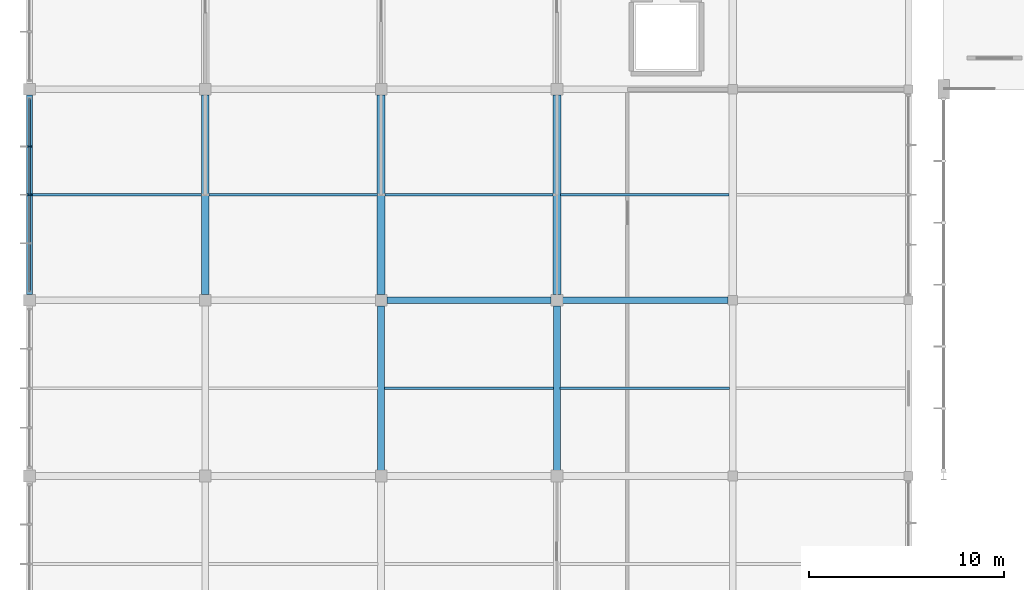
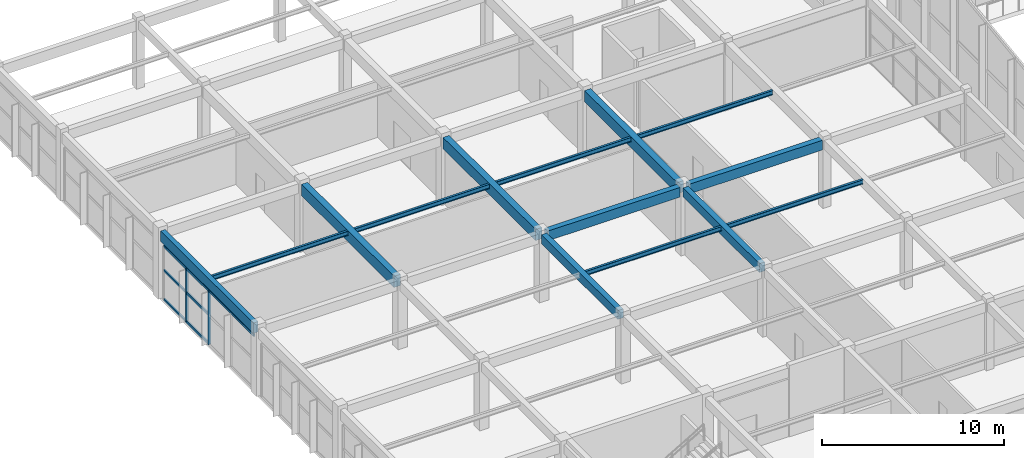
# One storey, part 21 of 74: 14 beams, 7 members, 1 element without a shape of its own.
"""IFC4 building model written with IfcOpenShell, lengths in metres."""

from ifc_helpers import new_model, si_unit, direction, frame, origin, origin_2d, place, context, subcontext, project, spatial, rectangle, i_section, extrude, material, material_profile, profile_set, type_object, element, aggregate, save


model = new_model("IFC4")

# Units and contexts
model_context = context("Model", 3, precision=1e-05, world=origin(), true_north=direction((0.0, 1.0)))
body_context = subcontext(model_context, "Body", "Model", "MODEL_VIEW")
ifc_project = project(units=[si_unit("LENGTHUNIT", "METRE"), si_unit("AREAUNIT", "SQUARE_METRE"), si_unit("VOLUMEUNIT", "CUBIC_METRE"), si_unit("PLANEANGLEUNIT", "RADIAN"), si_unit("MASSUNIT", "GRAM", prefix="KILO")], contexts=[model_context])

# Site, building, storey
site_placement = place(None, origin())
site = spatial("IfcSite", under=ifc_project, at=site_placement, CompositionType="ELEMENT")
building_placement = place(site_placement, origin())
building = spatial("IfcBuilding", under=site, at=building_placement, Name="Suirenkawa Promenade Aquatics Centre", CompositionType="ELEMENT")
storey_placement = place(building_placement, frame((0.0, 0.0, 4.800048828125)))
storey = spatial("IfcBuildingStorey", under=building, at=storey_placement, Name="L01", CompositionType="ELEMENT", Elevation=4.800048828125)

# Beams
ifc_material_1 = material(Name="Steel IS 2062 E350 (Grade 350)", Category="steel")
ifc_material_profile_1 = material_profile(ifc_material_1, i_section(OverallWidth=0.139892578125, OverallDepth=0.300048828125, WebThickness=0.008056640625, FlangeThickness=0.012939453125, at=origin_2d()), Name="ISMB 300", Category="steel")
ifc_profile_set_1 = profile_set([ifc_material_profile_1], Name="Steel IS 2062 E350 (Grade 350)")
beam_type_1 = type_object("IfcBeamType", Name="BT-JOIST-ISMB300", PredefinedType="JOIST", material=ifc_profile_set_1)
beam_1_placement = place(storey_placement, frame((0.14404296875, 91.800048828125, 4.387939453125), z_axis=(1.0, 0.0, 0.0), x_axis=(0.0, 1.0, 0.0)))
element("IfcBeam", 1, at=beam_1_placement, inside=storey, type_object=beam_type_1, Name="Secondary floor joist JS-02 BM-0529", PredefinedType="JOIST", context=body_context, shape_type="SweptSolid", body=[
    extrude(i_section(OverallWidth=0.139892578125, OverallDepth=0.300048828125, WebThickness=0.008056640625, FlangeThickness=0.012939453125, at=origin_2d()), origin(), (0.0, 0.0, 1.0), 8.661865234375),
])
beam_2_placement = place(storey_placement, frame((9.194091796875, 91.800048828125, 4.387939453125), z_axis=(1.0, 0.0, 0.0), x_axis=(0.0, 1.0, 0.0)))
element("IfcBeam", 2, at=beam_2_placement, inside=storey, type_object=beam_type_1, Name="Secondary floor joist JS-02 BM-0539", PredefinedType="JOIST", context=body_context, shape_type="SweptSolid", body=[
    extrude(i_section(OverallWidth=0.139892578125, OverallDepth=0.300048828125, WebThickness=0.008056640625, FlangeThickness=0.012939453125, at=origin_2d()), origin(), (0.0, 0.0, 1.0), 8.61181640625),
])
beam_3_placement = place(storey_placement, frame((18.1689453125, 81.89990234375, 4.387939453125), z_axis=(1.0, 0.0, 0.0), x_axis=(0.0, 1.0, 0.0)))
element("IfcBeam", 3, at=beam_3_placement, inside=storey, type_object=beam_type_1, Name="Secondary floor joist JS-02 BM-0550", PredefinedType="JOIST", context=body_context, shape_type="SweptSolid", body=[
    extrude(i_section(OverallWidth=0.139892578125, OverallDepth=0.300048828125, WebThickness=0.008056640625, FlangeThickness=0.012939453125, at=origin_2d()), origin(), (0.0, 0.0, 1.0), 8.662109375),
])
beam_4_placement = place(storey_placement, frame((18.194091796875, 91.800048828125, 4.387939453125), z_axis=(1.0, 0.0, 0.0), x_axis=(0.0, 1.0, 0.0)))
element("IfcBeam", 4, at=beam_4_placement, inside=storey, type_object=beam_type_1, Name="Secondary floor joist JS-02 BM-0551", PredefinedType="JOIST", context=body_context, shape_type="SweptSolid", body=[
    extrude(i_section(OverallWidth=0.139892578125, OverallDepth=0.300048828125, WebThickness=0.008056640625, FlangeThickness=0.012939453125, at=origin_2d()), origin(), (0.0, 0.0, 1.0), 8.61181640625),
])
beam_5_placement = place(storey_placement, frame((27.1689453125, 81.89990234375, 4.387939453125), z_axis=(1.0, 0.0, 0.0), x_axis=(0.0, 1.0, 0.0)))
element("IfcBeam", 5, at=beam_5_placement, inside=storey, type_object=beam_type_1, Name="Secondary floor joist JS-02 BM-0562", PredefinedType="JOIST", context=body_context, shape_type="SweptSolid", body=[
    extrude(i_section(OverallWidth=0.139892578125, OverallDepth=0.300048828125, WebThickness=0.008056640625, FlangeThickness=0.012939453125, at=origin_2d()), origin(), (0.0, 0.0, 1.0), 8.662109375),
])
beam_6_placement = place(storey_placement, frame((27.194091796875, 91.800048828125, 4.387939453125), z_axis=(1.0, 0.0, 0.0), x_axis=(0.0, 1.0, 0.0)))
element("IfcBeam", 6, at=beam_6_placement, inside=storey, type_object=beam_type_1, Name="Secondary floor joist JS-02 BM-0563", PredefinedType="JOIST", context=body_context, shape_type="SweptSolid", body=[
    extrude(i_section(OverallWidth=0.139892578125, OverallDepth=0.300048828125, WebThickness=0.008056640625, FlangeThickness=0.012939453125, at=origin_2d()), origin(), (0.0, 0.0, 1.0), 8.61181640625),
])
ifc_material_2 = material(Name="Concrete M35", Category="concrete")
ifc_material_profile_2 = material_profile(ifc_material_2, rectangle(XDim=0.35009765625, YDim=0.60009765625, at=origin_2d()), Name="RC BM 350x600", Category="concrete")
ifc_profile_set_2 = profile_set([ifc_material_profile_2], Name="Concrete M35")
beam_type_2 = type_object("IfcBeamType", Name="BT-RC-350x600", PredefinedType="BEAM", material=ifc_profile_set_2)
for number, where, z_axis, x_axis, name in (
    (7, (18.0, 77.694091796875, 4.239990234375), (0.0, 1.0, 0.0), (-1.0, 0.0, 0.0), "Floor beam BM-02 BM-0482"),
    (8, (27.0, 77.694091796875, 4.239990234375), (0.0, 1.0, 0.0), (-1.0, 0.0, 0.0), "Floor beam BM-02 BM-0494"),
):
    element("IfcBeam", number, at=place(storey_placement, frame(where, z_axis=z_axis, x_axis=x_axis)), inside=storey, type_object=beam_type_2, Name=name, PredefinedType="BEAM", context=body_context, shape_type="SweptSolid", body=[
        extrude(rectangle(XDim=0.35009765625, YDim=0.60009765625, at=origin_2d()), origin(), (0.0, 0.0, 1.0), 8.411865234375),
    ])
ifc_material_profile_3 = material_profile(ifc_material_2, rectangle(XDim=0.35009765625, YDim=0.64990234375, at=origin_2d()), Name="RC BM 350x650", Category="concrete")
ifc_profile_set_3 = profile_set([ifc_material_profile_3], Name="Concrete M35")
beam_type_3 = type_object("IfcBeamType", Name="BT-RC-350x650", PredefinedType="BEAM", material=ifc_profile_set_3)
beam_7_placement = place(storey_placement, frame((18.2939453125, 86.39990234375, 4.21484375), z_axis=(1.0, 0.0, 0.0), x_axis=(0.0, 1.0, 0.0)))
element("IfcBeam", 9, at=beam_7_placement, inside=storey, type_object=beam_type_3, Name="Floor beam BM-03 BM-0432", PredefinedType="BEAM", context=body_context, shape_type="SweptSolid", body=[
    extrude(rectangle(XDim=0.35009765625, YDim=0.64990234375, at=origin_2d()), origin(), (0.0, 0.0, 1.0), 8.412109375),
])
beam_8_placement = place(storey_placement, frame((27.2939453125, 86.39990234375, 4.21484375), z_axis=(1.0, 0.0, 0.0), x_axis=(0.0, 1.0, 0.0)))
element("IfcBeam", 10, at=beam_8_placement, inside=storey, type_object=beam_type_3, Name="Floor beam BM-03 BM-0433", PredefinedType="BEAM", context=body_context, shape_type="SweptSolid", body=[
    extrude(rectangle(XDim=0.35009765625, YDim=0.64990234375, at=origin_2d()), origin(), (0.0, 0.0, 1.0), 8.462158203125),
])
ifc_material_3 = material(Name="Concrete M40", Category="concrete")
ifc_material_profile_4 = material_profile(ifc_material_3, rectangle(XDim=0.39990234375, YDim=0.75, at=origin_2d()), Name="RC BM 400x750", Category="concrete")
ifc_profile_set_4 = profile_set([ifc_material_profile_4], Name="Concrete M40")
beam_type_4 = type_object("IfcBeamType", Name="BT-RC-400x750", PredefinedType="BEAM", material=ifc_profile_set_4)
for number, where, z_axis, x_axis, name in (
    (11, (9.0, 86.694091796875, 4.1650390625), (0.0, 1.0, 0.0), (-1.0, 0.0, 0.0), "Floor beam BM-05 BM-0471"),
    (12, (18.0, 86.694091796875, 4.1650390625), (0.0, 1.0, 0.0), (-1.0, 0.0, 0.0), "Floor beam BM-05 BM-0483"),
    (13, (27.0, 86.694091796875, 4.1650390625), (0.0, 1.0, 0.0), (-1.0, 0.0, 0.0), "Floor beam BM-05 BM-0495"),
):
    element("IfcBeam", number, at=place(storey_placement, frame(where, z_axis=z_axis, x_axis=x_axis)), inside=storey, type_object=beam_type_4, Name=name, PredefinedType="BEAM", context=body_context, shape_type="SweptSolid", body=[
        extrude(rectangle(XDim=0.39990234375, YDim=0.75, at=origin_2d()), origin(), (0.0, 0.0, 1.0), 10.2119140625),
    ])
ifc_material_profile_5 = material_profile(ifc_material_3, rectangle(XDim=0.300048828125, YDim=0.699951171875, at=origin_2d()), Name="RC SPANDREL 300x700", Category="concrete")
ifc_profile_set_5 = profile_set([ifc_material_profile_5], Name="Concrete M40")
beam_type_5 = type_object("IfcBeamType", Name="BT-SPANDREL-300x700", PredefinedType="SPANDREL", material=ifc_profile_set_5)
beam_9_placement = place(storey_placement, frame((0.0, 86.694091796875, 4.18994140625), z_axis=(0.0, 1.0, 0.0), x_axis=(-1.0, 0.0, 0.0)))
element("IfcBeam", 14, at=beam_9_placement, inside=storey, type_object=beam_type_5, Name="Floor beam SP-01 BM-0459", PredefinedType="SPANDREL", context=body_context, shape_type="SweptSolid", body=[
    extrude(rectangle(XDim=0.300048828125, YDim=0.699951171875, at=origin_2d()), origin(), (0.0, 0.0, 1.0), 10.2119140625),
])

# Curtain wall, members
ifc_material_4 = material(Name="Anodised aluminium 6063-T6", Category="aluminium")
curtain_wall_type = type_object("IfcCurtainWallType", Name="CWAT-V5WL01-52", PredefinedType="NOTDEFINED", material=ifc_material_4)
curtain_wall_placement = place(storey_placement, origin())
curtain_wall = element("IfcCurtainWall", 15, at=curtain_wall_placement, inside=storey, type_object=curtain_wall_type, Name="Curtain wall CWA-52 CW-108", PredefinedType="NOTDEFINED")
ifc_material_profile_6 = material_profile(ifc_material_4, rectangle(XDim=0.094970703125, YDim=0.18994140625, at=origin_2d()), Name="ALU MULL 95x190", Category="aluminium")
ifc_profile_set_6 = profile_set([ifc_material_profile_6], Name="Anodised aluminium 6063-T6")
member_type_1 = type_object("IfcMemberType", Name="CWM-190x95", PredefinedType="MULLION", material=ifc_profile_set_6)
member_1_placement = place(storey_placement, frame((0.0, 91.800048828125, 0.0), z_axis=(0.0, 0.0, 1.0), x_axis=(0.0, 1.0, 0.0)))
member_1 = element("IfcMember", 16, at=member_1_placement, type_object=member_type_1, Name="Mullion ML-02 CWM-02167", PredefinedType="MULLION", context=body_context, shape_type="SweptSolid", body=[
    extrude(rectangle(XDim=0.094970703125, YDim=0.18994140625, at=origin_2d()), origin(), (0.0, 0.0, 1.0), 3.570068359375),
])
member_2_placement = place(storey_placement, frame((0.0, 94.275390625, 0.0), z_axis=(0.0, 0.0, 1.0), x_axis=(0.0, 1.0, 0.0)))
member_2 = element("IfcMember", 17, at=member_2_placement, type_object=member_type_1, Name="Mullion ML-02 CWM-02168", PredefinedType="MULLION", context=body_context, shape_type="SweptSolid", body=[
    extrude(rectangle(XDim=0.094970703125, YDim=0.18994140625, at=origin_2d()), origin(), (0.0, 0.0, 1.0), 3.570068359375),
])
ifc_material_profile_7 = material_profile(ifc_material_4, rectangle(XDim=0.094970703125, YDim=0.14990234375, at=origin_2d()), Name="ALU TRAN 95x150", Category="aluminium")
ifc_profile_set_7 = profile_set([ifc_material_profile_7], Name="Anodised aluminium 6063-T6")
member_type_2 = type_object("IfcMemberType", Name="CWT-150x95", PredefinedType="USERDEFINED", material=ifc_profile_set_7)
member_3_placement = place(storey_placement, frame((0.0, 91.800048828125, 0.0), z_axis=(0.0, 1.0, 0.0), x_axis=(-1.0, 0.0, 0.0)))
member_3 = element("IfcMember", 18, at=member_3_placement, type_object=member_type_2, Name="Transom TR-02 CWT-02172", ObjectType="TRANSOM", PredefinedType="USERDEFINED", context=body_context, shape_type="SweptSolid", body=[
    extrude(rectangle(XDim=0.094970703125, YDim=0.14990234375, at=origin_2d()), origin(), (0.0, 0.0, 1.0), 2.475341796875),
])
member_4_placement = place(storey_placement, frame((0.0, 94.275390625, 0.0), z_axis=(0.0, 1.0, 0.0), x_axis=(-1.0, 0.0, 0.0)))
member_4 = element("IfcMember", 19, at=member_4_placement, type_object=member_type_2, Name="Transom TR-02 CWT-02173", ObjectType="TRANSOM", PredefinedType="USERDEFINED", context=body_context, shape_type="SweptSolid", body=[
    extrude(rectangle(XDim=0.094970703125, YDim=0.14990234375, at=origin_2d()), origin(), (0.0, 0.0, 1.0), 2.4755859375),
])
member_5_placement = place(storey_placement, frame((0.0, 91.800048828125, 1.949951171875), z_axis=(0.0, 1.0, 0.0), x_axis=(-1.0, 0.0, 0.0)))
member_5 = element("IfcMember", 20, at=member_5_placement, type_object=member_type_2, Name="Transom TR-02 CWT-02176", ObjectType="TRANSOM", PredefinedType="USERDEFINED", context=body_context, shape_type="SweptSolid", body=[
    extrude(rectangle(XDim=0.094970703125, YDim=0.14990234375, at=origin_2d()), origin(), (0.0, 0.0, 1.0), 2.475341796875),
])
member_6_placement = place(storey_placement, frame((0.0, 94.275390625, 1.949951171875), z_axis=(0.0, 1.0, 0.0), x_axis=(-1.0, 0.0, 0.0)))
member_6 = element("IfcMember", 21, at=member_6_placement, type_object=member_type_2, Name="Transom TR-02 CWT-02177", ObjectType="TRANSOM", PredefinedType="USERDEFINED", context=body_context, shape_type="SweptSolid", body=[
    extrude(rectangle(XDim=0.094970703125, YDim=0.14990234375, at=origin_2d()), origin(), (0.0, 0.0, 1.0), 2.4755859375),
])
member_7_placement = place(storey_placement, frame((0.0, 86.84912109375, 3.570068359375), z_axis=(0.0, 1.0, 0.0), x_axis=(-1.0, 0.0, 0.0)))
member_7 = element("IfcMember", 22, at=member_7_placement, type_object=member_type_2, Name="Roofline transom TR-02 CWT-02178", ObjectType="TRANSOM", PredefinedType="USERDEFINED", context=body_context, shape_type="SweptSolid", body=[
    extrude(rectangle(XDim=0.094970703125, YDim=0.14990234375, at=origin_2d()), origin(), (0.0, 0.0, 1.0), 9.90185546875),
])
aggregate(curtain_wall, [member_1, member_2, member_3, member_4, member_5, member_6, member_7])

save(model, "model.ifc")
